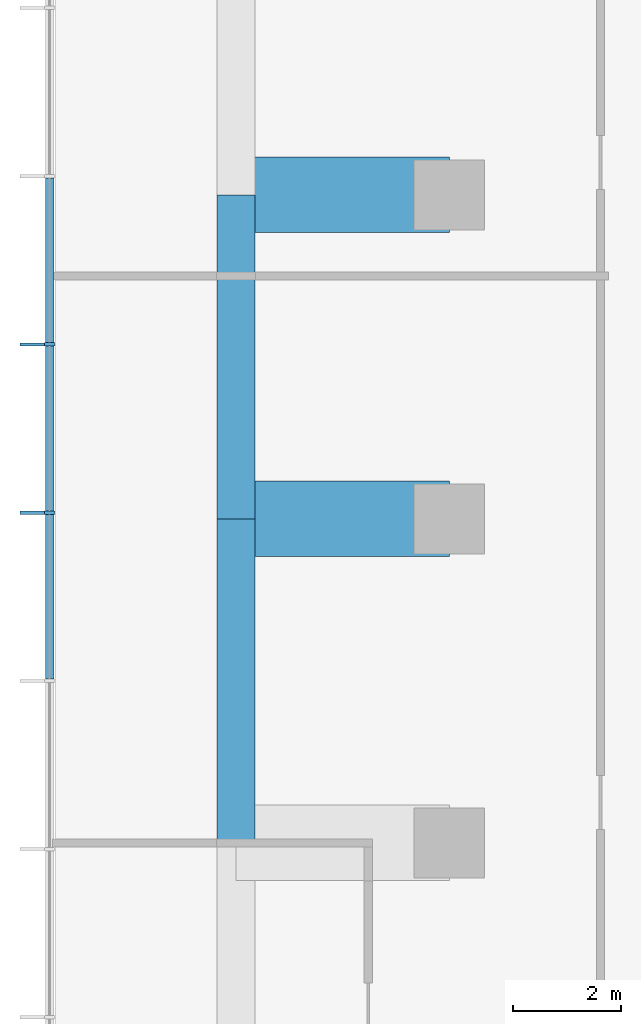
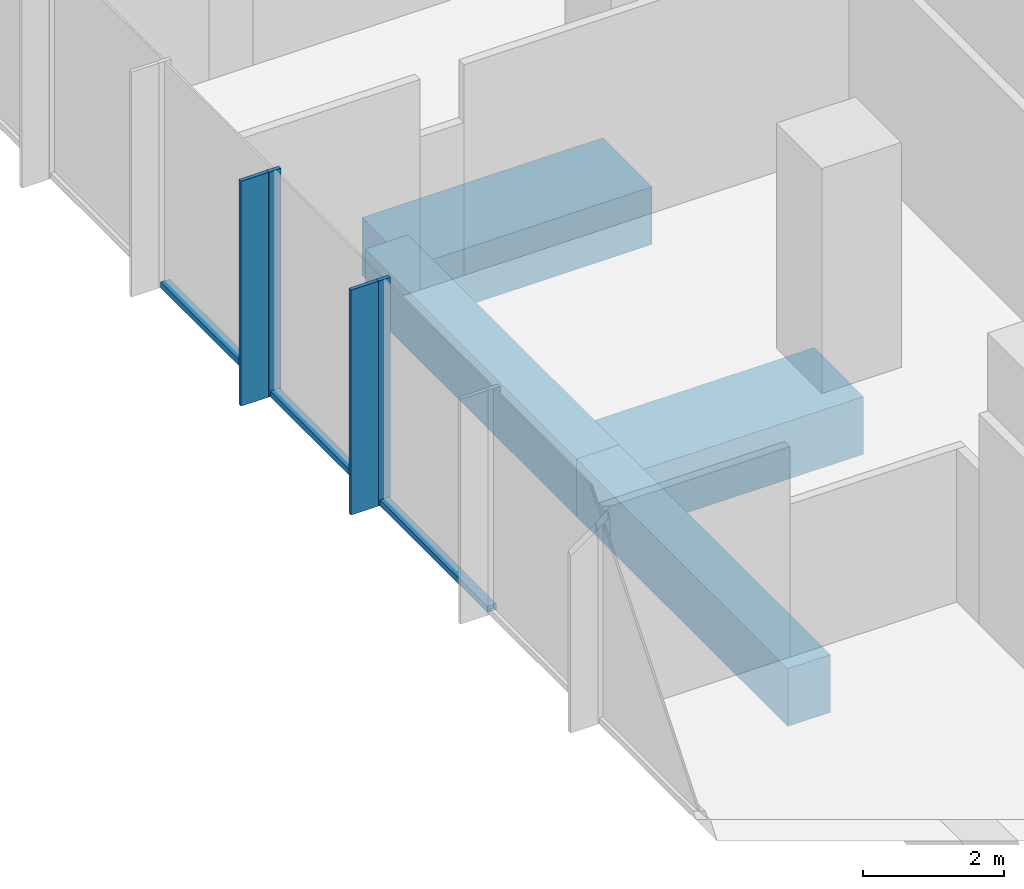
# One storey, part 3 of 11: 7 members, 4 beams, 1 element without a shape of its own.
"""IFC4 building model written with IfcOpenShell, lengths in metres."""

from ifc_helpers import new_model, si_unit, direction, frame, origin, origin_2d, place, context, subcontext, project, spatial, rectangle, extrude, material, layer, layer_set, material_profile, profile_set, type_object, element, aggregate, save


model = new_model("IFC4")

# Units and contexts
model_context = context("Model", 3, precision=1e-05, world=origin(), true_north=direction((0.0, 1.0)))
body_context = subcontext(model_context, "Body", "Model", "MODEL_VIEW")
ifc_project = project(units=[si_unit("LENGTHUNIT", "METRE"), si_unit("AREAUNIT", "SQUARE_METRE"), si_unit("VOLUMEUNIT", "CUBIC_METRE"), si_unit("PLANEANGLEUNIT", "RADIAN"), si_unit("MASSUNIT", "GRAM", prefix="KILO")], contexts=[model_context])

# Site, building, storey
site_placement = place(None, origin())
site = spatial("IfcSite", under=ifc_project, at=site_placement, CompositionType="ELEMENT")
building_placement = place(site_placement, origin())
building = spatial("IfcBuilding", under=site, at=building_placement, Name="Highveld Stack Headquarters", CompositionType="ELEMENT")
storey_placement = place(building_placement, frame((0.0, 0.0, 224.0)))
storey = spatial("IfcBuildingStorey", under=building, at=storey_placement, Name="L55", CompositionType="ELEMENT", Elevation=224.0)

# Beams
ifc_material_1 = material(Name="Concrete C60/75", Category="concrete")
ifc_material_profile_1 = material_profile(ifc_material_1, rectangle(XDim=1.39990234375, YDim=1.0, at=origin_2d()), Name="RC 1400x1000")
ifc_profile_set_1 = profile_set([ifc_material_profile_1], Name="Concrete C60/75")
beam_type_1 = type_object("IfcBeamType", Name="CANTILEVER RIB RC 1400x1000", PredefinedType="USERDEFINED", material=ifc_profile_set_1)
for number, where, z_axis, x_axis, name in (
    (1, (-12.0, 6.0, -0.75), (-1.0, 0.0, 0.0), (0.0, -1.0, 0.0), "Cantilever rib 4/F L55"),
    (2, (-12.0, 12.0, -0.75), (-1.0, 0.0, 0.0), (0.0, -1.0, 0.0), "Cantilever rib 4/G L55"),
):
    element("IfcBeam", number, at=place(storey_placement, frame(where, z_axis=z_axis, x_axis=x_axis)), inside=storey, type_object=beam_type_1, Name=name, ObjectType="CANTILEVER RIB", PredefinedType="USERDEFINED", context=body_context, shape_type="SweptSolid", body=[
        extrude(rectangle(XDim=1.39990234375, YDim=1.0, at=origin_2d()), origin(), (0.0, 0.0, 1.0), 3.949951171875),
    ])

# Curtain wall, members
ifc_material_2 = material(Name="Aluminium bronze anodised", Category="aluminium")
ifc_layer = layer(ifc_material_2, 0.199951171875)
ifc_layer_set = layer_set([ifc_layer], Name="Aluminium bronze anodised")
curtain_wall_type = type_object("IfcCurtainWallType", Name="CW1 TOWER UNITISED CURTAIN WALL", PredefinedType="NOTDEFINED", material=ifc_layer_set)
curtain_wall_placement = place(storey_placement, origin())
curtain_wall = element("IfcCurtainWall", 3, at=curtain_wall_placement, inside=storey, type_object=curtain_wall_type, Name="Curtain wall CW1 L55 W", PredefinedType="NOTDEFINED")
ifc_material_3 = material(Name="Aluminium bronze anodised", Category="aluminium")
ifc_material_profile_2 = material_profile(ifc_material_3, rectangle(XDim=0.449951171875, YDim=0.06005859375, at=origin_2d()), Name="FIN 450x60")
ifc_profile_set_2 = profile_set([ifc_material_profile_2], Name="Aluminium bronze anodised")
member_type_1 = type_object("IfcMemberType", Name="CW1 BRONZE FIN 450x60", PredefinedType="USERDEFINED", material=ifc_profile_set_2)
member_1_placement = place(storey_placement, frame((-19.72509765625, 9.23193359375, 0.0), z_axis=(0.0, 0.0, 1.0), x_axis=(1.0, 0.0, 0.0)))
member_1 = element("IfcMember", 4, at=member_1_placement, type_object=member_type_1, Name="CW1 fin L55 4", ObjectType="FIN", PredefinedType="USERDEFINED", context=body_context, shape_type="SweptSolid", body=[
    extrude(rectangle(XDim=0.449951171875, YDim=0.06005859375, at=origin_2d()), origin(), (0.0, 0.0, 1.0), 3.89990234375),
])
member_2_placement = place(storey_placement, frame((-19.72509765625, 6.115966796875, 0.0), z_axis=(0.0, 0.0, 1.0), x_axis=(1.0, 0.0, 0.0)))
member_2 = element("IfcMember", 5, at=member_2_placement, type_object=member_type_1, Name="CW1 fin L55 5", ObjectType="FIN", PredefinedType="USERDEFINED", context=body_context, shape_type="SweptSolid", body=[
    extrude(rectangle(XDim=0.449951171875, YDim=0.06005859375, at=origin_2d()), origin(), (0.0, 0.0, 1.0), 3.89990234375),
])
ifc_material_4 = material(Name="Aluminium bronze anodised", Category="aluminium")
ifc_material_profile_3 = material_profile(ifc_material_4, rectangle(XDim=0.199951171875, YDim=0.06494140625, at=origin_2d()), Name="CW1 MULLION 65x200")
ifc_profile_set_3 = profile_set([ifc_material_profile_3], Name="Aluminium bronze anodised")
member_type_2 = type_object("IfcMemberType", Name="CW1 MULLION 65x200", PredefinedType="MULLION", material=ifc_profile_set_3)
member_3_placement = place(storey_placement, frame((-19.39990234375, 9.23193359375, 0.0), z_axis=(0.0, 0.0, 1.0), x_axis=(1.0, 0.0, 0.0)))
member_3 = element("IfcMember", 6, at=member_3_placement, type_object=member_type_2, Name="CW1 mullion L55 4", PredefinedType="MULLION", context=body_context, shape_type="SweptSolid", body=[
    extrude(rectangle(XDim=0.199951171875, YDim=0.06494140625, at=origin_2d()), origin(), (0.0, 0.0, 1.0), 3.89990234375),
])
member_4_placement = place(storey_placement, frame((-19.39990234375, 6.115966796875, 0.0), z_axis=(0.0, 0.0, 1.0), x_axis=(1.0, 0.0, 0.0)))
member_4 = element("IfcMember", 7, at=member_4_placement, type_object=member_type_2, Name="CW1 mullion L55 5", PredefinedType="MULLION", context=body_context, shape_type="SweptSolid", body=[
    extrude(rectangle(XDim=0.199951171875, YDim=0.06494140625, at=origin_2d()), origin(), (0.0, 0.0, 1.0), 3.89990234375),
])
ifc_material_5 = material(Name="Aluminium bronze anodised", Category="aluminium")
ifc_material_profile_4 = material_profile(ifc_material_5, rectangle(XDim=0.14990234375, YDim=0.10009765625, at=origin_2d()), Name="CW1 TRANSOM 150x100")
ifc_profile_set_4 = profile_set([ifc_material_profile_4], Name="Aluminium bronze anodised")
member_type_3 = type_object("IfcMemberType", Name="CW1 STACK TRANSOM 150x100", PredefinedType="USERDEFINED", material=ifc_profile_set_4)
member_5_placement = place(storey_placement, frame((-19.39990234375, 12.3154296875, 0.050048828125), z_axis=(0.0, -1.0, 0.0), x_axis=(1.0, 0.0, 0.0)))
member_5 = element("IfcMember", 8, at=member_5_placement, type_object=member_type_3, Name="CW1 transom L55 3.1", ObjectType="TRANSOM", PredefinedType="USERDEFINED", context=body_context, shape_type="SweptSolid", body=[
    extrude(rectangle(XDim=0.14990234375, YDim=0.10009765625, at=origin_2d()), origin(), (0.0, 0.0, 1.0), 3.051025390625),
])
member_6_placement = place(storey_placement, frame((-19.39990234375, 9.199462890625, 0.050048828125), z_axis=(0.0, -1.0, 0.0), x_axis=(1.0, 0.0, 0.0)))
member_6 = element("IfcMember", 9, at=member_6_placement, type_object=member_type_3, Name="CW1 transom L55 4.1", ObjectType="TRANSOM", PredefinedType="USERDEFINED", context=body_context, shape_type="SweptSolid", body=[
    extrude(rectangle(XDim=0.14990234375, YDim=0.10009765625, at=origin_2d()), origin(), (0.0, 0.0, 1.0), 3.051025390625),
])
member_7_placement = place(storey_placement, frame((-19.39990234375, 6.08349609375, 0.050048828125), z_axis=(0.0, -1.0, 0.0), x_axis=(1.0, 0.0, 0.0)))
member_7 = element("IfcMember", 10, at=member_7_placement, type_object=member_type_3, Name="CW1 transom L55 5.1", ObjectType="TRANSOM", PredefinedType="USERDEFINED", context=body_context, shape_type="SweptSolid", body=[
    extrude(rectangle(XDim=0.14990234375, YDim=0.10009765625, at=origin_2d()), origin(), (0.0, 0.0, 1.0), 3.051025390625),
])
aggregate(curtain_wall, [member_3, member_1, member_4, member_2, member_5, member_6, member_7])

# Beams
ifc_material_6 = material(Name="Concrete C60/75", Category="concrete")
ifc_material_profile_5 = material_profile(ifc_material_6, rectangle(XDim=0.699951171875, YDim=1.0, at=origin_2d()), Name="RC 700x1000")
ifc_profile_set_5 = profile_set([ifc_material_profile_5], Name="Concrete C60/75")
beam_type_2 = type_object("IfcBeamType", Name="RIB TIP BEAM RC 700x1000", PredefinedType="SPANDREL", material=ifc_profile_set_5)
for number, where, z_axis, x_axis, name in (
    (11, (-15.949951171875, 0.0, -0.75), (0.0, 1.0, 0.0), (-1.0, 0.0, 0.0), "Rib tip beam 4/E to 4/F L55"),
    (12, (-15.949951171875, 6.0, -0.75), (0.0, 1.0, 0.0), (-1.0, 0.0, 0.0), "Rib tip beam 4/F to 4/G L55"),
):
    element("IfcBeam", number, at=place(storey_placement, frame(where, z_axis=z_axis, x_axis=x_axis)), inside=storey, type_object=beam_type_2, Name=name, PredefinedType="SPANDREL", context=body_context, shape_type="SweptSolid", body=[
        extrude(rectangle(XDim=0.699951171875, YDim=1.0, at=origin_2d()), origin(), (0.0, 0.0, 1.0), 6.0),
    ])

save(model, "model.ifc")
